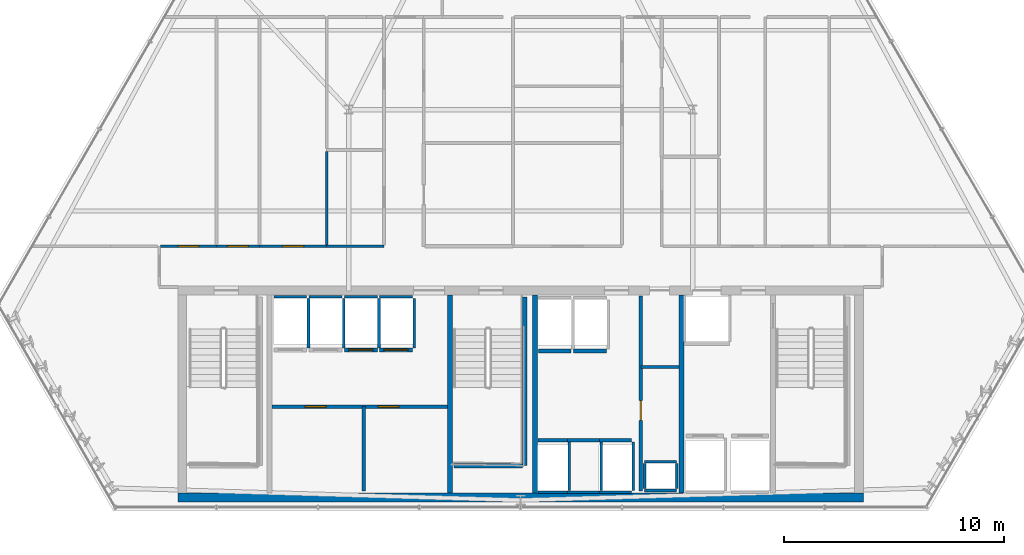
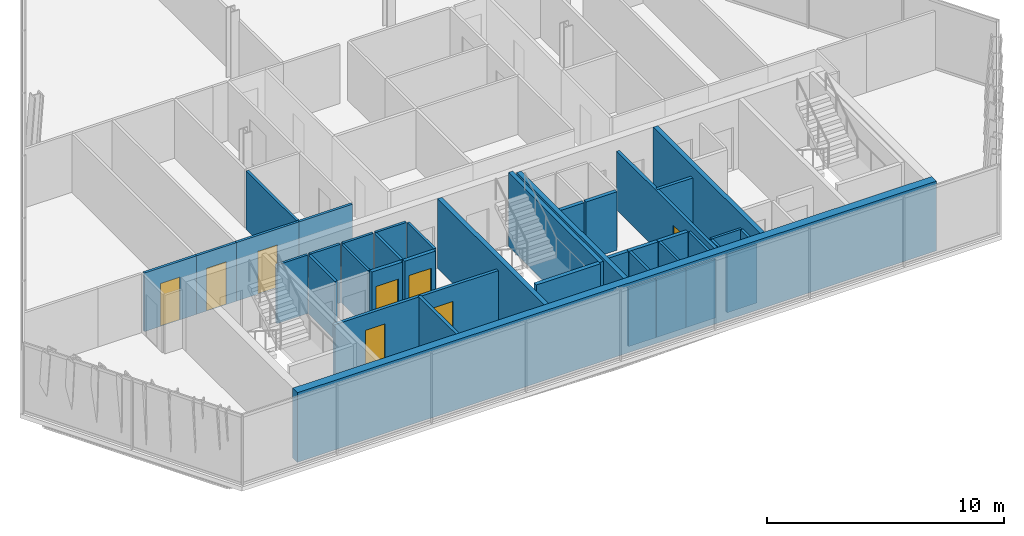
# One storey, part 27 of 33: 40 walls, 8 doors, 8 openings.
"""IFC4 building model written with IfcOpenShell, lengths in metres."""

from ifc_helpers import new_model, si_unit, direction, frame, frame_2d, origin, place, context, subcontext, project, spatial, rectangle, extrude, material, layer, layer_set, type_object, element, fill, save


model = new_model("IFC4")

# Units and contexts
model_context = context("Model", 3, precision=1e-05, world=origin(), true_north=direction((0.0, 1.0)))
body_context = subcontext(model_context, "Body", "Model", "MODEL_VIEW")
ifc_project = project(units=[si_unit("LENGTHUNIT", "METRE"), si_unit("AREAUNIT", "SQUARE_METRE"), si_unit("VOLUMEUNIT", "CUBIC_METRE"), si_unit("PLANEANGLEUNIT", "RADIAN"), si_unit("MASSUNIT", "GRAM", prefix="KILO")], contexts=[model_context])

# Site, building, storey
site_placement = place(None, origin())
site = spatial("IfcSite", under=ifc_project, at=site_placement, CompositionType="ELEMENT")
building_placement = place(site_placement, origin())
building = spatial("IfcBuilding", under=site, at=building_placement, Name="Ndaravel Arena Tower", CompositionType="ELEMENT")
storey_placement = place(building_placement, frame((0.0, 0.0, 168.800048828125)))
storey = spatial("IfcBuildingStorey", under=building, at=storey_placement, Name="L40", CompositionType="ELEMENT", Elevation=168.800048828125)

# Wall, opening, door
ifc_material_1 = material(Name="Gypsum", Category="gypsum")
ifc_layer_1 = layer(ifc_material_1, 0.14990234375)
ifc_layer_set_1 = layer_set([ifc_layer_1], Name="Gypsum")
wall_type_1 = type_object("IfcWallType", Name="WALL-COMP-150", PredefinedType="PARTITIONING", material=ifc_layer_set_1)
wall_1_placement = place(storey_placement, frame((47.449951171875, 5.89990234375, 0.0), z_axis=(0.0, 0.0, 1.0), x_axis=(0.0, 1.0, 0.0)))
wall_1 = element("IfcWall", 1, at=wall_1_placement, inside=storey, type_object=wall_type_1, Name="L40 Core Riser Bay Partition", PredefinedType="PARTITIONING", context=body_context, shape_type="SweptSolid", body=[
    extrude(rectangle(XDim=8.85009765625, YDim=0.14990234375, at=frame_2d((4.425048828125, 0.0))), origin(), (0.0, 0.0, 1.0), 3.010498046875),
])
opening_1_placement = place(wall_1_placement, frame((3.199951171875, 0.0, 0.0)))
opening_1 = element("IfcOpeningElement", 2, at=opening_1_placement, cuts=wall_1, Name="Opening RD-01", PredefinedType="OPENING", context=body_context, shape_type="SweptSolid", body=[
    extrude(rectangle(XDim=0.89990234375, YDim=2.10009765625, at=frame_2d((0.449951171875, 1.050048828125))), frame((0.0, 0.074951171875, 0.0), z_axis=(0.0, -1.0, 0.0), x_axis=(1.0, 0.0, 0.0)), (0.0, 0.0, 1.0), 0.14990234375),
])
ifc_material_2 = material(Name="Steel S355", Category="steel")
door_type_1 = type_object("IfcDoorType", Name="DT-08-RISER-900", OperationType="SINGLE_SWING_LEFT", PredefinedType="DOOR", material=ifc_material_2)
door_1_placement = place(opening_1_placement, origin())
door_1 = element("IfcDoor", 3, at=door_1_placement, inside=storey, type_object=door_type_1, Name="L40 Sub-Metering Closet Door", OperationType="SINGLE_SWING_LEFT", OverallHeight=2.10009765625, OverallWidth=0.89990234375, PredefinedType="DOOR", context=body_context, shape_type="SweptSolid", body=[
    extrude(rectangle(XDim=0.89990234375, YDim=2.10009765625, at=frame_2d((0.449951171875, 1.050048828125))), frame((0.0, 0.02490234375, 0.0), z_axis=(0.0, -1.0, 0.0), x_axis=(1.0, 0.0, 0.0)), (0.0, 0.0, 1.0), 0.050048828125),
])
fill(opening_1, door_1)

# Wall
wall_2_placement = place(storey_placement, frame((47.449951171875, 11.52001953125, 0.0), z_axis=(0.0, 0.0, 1.0), x_axis=(1.0, 0.0, 0.0)))
element("IfcWall", 4, at=wall_2_placement, inside=storey, type_object=wall_type_1, Name="L40 Core Riser Divider 1", PredefinedType="PARTITIONING", context=body_context, shape_type="SweptSolid", body=[
    extrude(rectangle(XDim=1.72998046875, YDim=0.14990234375, at=frame_2d((0.864990234375, 0.0))), origin(), (0.0, 0.0, 1.0), 3.010498046875),
])

# Wall, openings, doors
wall_3_placement = place(storey_placement, frame((30.719970703125, 9.719970703125, 0.0), z_axis=(0.0, 0.0, 1.0), x_axis=(1.0, 0.0, 0.0)))
wall_3 = element("IfcWall", 5, at=wall_3_placement, inside=storey, type_object=wall_type_1, Name="L40 Reclaimed Shaft Partition", PredefinedType="PARTITIONING", context=body_context, shape_type="SweptSolid", body=[
    extrude(rectangle(XDim=7.9599609375, YDim=0.14990234375, at=frame_2d((3.97998046875, 0.0))), origin(), (0.0, 0.0, 1.0), 3.010498046875),
])
opening_2_placement = place(wall_3_placement, frame((1.5, 0.0, 0.0)))
opening_2 = element("IfcOpeningElement", 6, at=opening_2_placement, cuts=wall_3, Name="Opening FD-03", PredefinedType="OPENING", context=body_context, shape_type="SweptSolid", body=[
    extrude(rectangle(XDim=0.949951171875, YDim=2.199951171875, at=frame_2d((0.47509765625, 1.10009765625))), frame((0.0, 0.074951171875, 0.0), z_axis=(0.0, -1.0, 0.0), x_axis=(1.0, 0.0, 0.0)), (0.0, 0.0, 1.0), 0.14990234375),
])
opening_3_placement = place(wall_3_placement, frame((4.81005859375, 0.0, 0.0)))
opening_3 = element("IfcOpeningElement", 7, at=opening_3_placement, cuts=wall_3, Name="Opening FD-03", PredefinedType="OPENING", context=body_context, shape_type="SweptSolid", body=[
    extrude(rectangle(XDim=0.949951171875, YDim=2.199951171875, at=frame_2d((0.47509765625, 1.10009765625))), frame((0.0, 0.074951171875, 0.0), z_axis=(0.0, -1.0, 0.0), x_axis=(1.0, 0.0, 0.0)), (0.0, 0.0, 1.0), 0.14990234375),
])
ifc_material_3 = material(Name="Steel S355", Category="steel")
door_type_2 = type_object("IfcDoorType", Name="DT-11-CORE-950", OperationType="SINGLE_SWING_LEFT", PredefinedType="DOOR", material=ifc_material_3)
door_2_placement = place(opening_2_placement, origin())
door_2 = element("IfcDoor", 8, at=door_2_placement, inside=storey, type_object=door_type_2, Name="L40 ICT Server Room Door", OperationType="SINGLE_SWING_LEFT", OverallHeight=2.199951171875, OverallWidth=0.949951171875, PredefinedType="DOOR", context=body_context, shape_type="SweptSolid", body=[
    extrude(rectangle(XDim=0.949951171875, YDim=2.199951171875, at=frame_2d((0.47509765625, 1.10009765625))), frame((0.0, 0.02490234375, 0.0), z_axis=(0.0, -1.0, 0.0), x_axis=(1.0, 0.0, 0.0)), (0.0, 0.0, 1.0), 0.050048828125),
])
fill(opening_2, door_2)
door_3_placement = place(opening_3_placement, origin())
door_3 = element("IfcDoor", 9, at=door_3_placement, inside=storey, type_object=door_type_2, Name="L40 Core Archive Room Door", OperationType="SINGLE_SWING_RIGHT", OverallHeight=2.199951171875, OverallWidth=0.949951171875, PredefinedType="DOOR", context=body_context, shape_type="SweptSolid", body=[
    extrude(rectangle(XDim=0.949951171875, YDim=2.199951171875, at=frame_2d((0.47509765625, 1.10009765625))), frame((0.0, 0.02490234375, 0.0), z_axis=(0.0, -1.0, 0.0), x_axis=(1.0, 0.0, 0.0)), (0.0, 0.0, 1.0), 0.050048828125),
])
fill(opening_3, door_3)

# Walls
wall_4_placement = place(storey_placement, frame((34.8798828125, 5.89990234375, 0.0), z_axis=(0.0, 0.0, 1.0), x_axis=(0.0, 1.0, 0.0)))
element("IfcWall", 10, at=wall_4_placement, inside=storey, type_object=wall_type_1, Name="L40 Reclaimed Bay Divider", PredefinedType="PARTITIONING", context=body_context, shape_type="SweptSolid", body=[
    extrude(rectangle(XDim=3.820068359375, YDim=0.14990234375, at=frame_2d((1.91015625, 0.0))), origin(), (0.0, 0.0, 1.0), 3.010498046875),
])
ifc_material_4 = material(Name="Concrete C50/60", Category="concrete")
ifc_layer_2 = layer(ifc_material_4, 0.219970703125)
ifc_layer_set_2 = layer_set([ifc_layer_2], Name="Concrete C50/60")
wall_type_2 = type_object("IfcWallType", Name="WALL-CORE-220", PredefinedType="SOLIDWALL", material=ifc_layer_set_2)
for number, where, z_axis, x_axis, name in (
    (11, (38.800048828125, 5.800048828125, 0.0), (0.0, 0.0, 1.0), (0.0, 1.0, 0.0), "L40 Core Web Shear Wall 2"),
    (12, (42.64990234375, 5.800048828125, 0.0), (0.0, 0.0, 1.0), (0.0, 1.0, 0.0), "L40 Core Web Shear Wall 3"),
    (13, (49.300048828125, 5.800048828125, 0.0), (0.0, 0.0, 1.0), (0.0, 1.0, 0.0), "L40 Core Web Shear Wall 4"),
):
    element("IfcWall", number, at=place(storey_placement, frame(where, z_axis=z_axis, x_axis=x_axis)), inside=storey, type_object=wall_type_2, Name=name, PredefinedType="SOLIDWALL", context=body_context, shape_type="SweptSolid", body=[
        extrude(rectangle(XDim=9.0, YDim=0.219970703125, at=frame_2d((4.5, 0.0))), origin(), (0.0, 0.0, 1.0), 3.579833984375),
    ])
ifc_material_5 = material(Name="Concrete C50/60", Category="concrete")
ifc_layer_3 = layer(ifc_material_5, 0.39990234375)
ifc_layer_set_3 = layer_set([ifc_layer_3], Name="Concrete C50/60")
wall_type_3 = type_object("IfcWallType", Name="WALL-CORE-400", PredefinedType="SOLIDWALL", material=ifc_layer_set_3)
wall_5_placement = place(storey_placement, frame((26.449951171875, 5.60009765625, 0.0), z_axis=(0.0, 0.0, 1.0), x_axis=(1.0, 0.0, 0.0)))
element("IfcWall", 14, at=wall_5_placement, inside=storey, type_object=wall_type_3, Name="L40 Core South Shear Wall", PredefinedType="SOLIDWALL", context=body_context, shape_type="SweptSolid", body=[
    extrude(rectangle(XDim=31.10009765625, YDim=0.39990234375, at=frame_2d((15.550048828125, 0.0))), origin(), (0.0, 0.0, 1.0), 3.579833984375),
])

# Wall, opening, door
ifc_material_6 = material(Name="Gypsum", Category="gypsum")
ifc_layer_4 = layer(ifc_material_6, 0.125)
ifc_layer_set_4 = layer_set([ifc_layer_4], Name="Gypsum")
wall_type_4 = type_object("IfcWallType", Name="WALL-PART-125", PredefinedType="PARTITIONING", material=ifc_layer_set_4)
wall_6_placement = place(storey_placement, frame((25.6650390625, 17.0, 0.0), z_axis=(0.0, 0.0, 1.0), x_axis=(1.0, 0.0, 0.0)))
wall_6 = element("IfcWall", 15, at=wall_6_placement, inside=storey, type_object=wall_type_4, Name="L40 Interior Partition 005", PredefinedType="PARTITIONING", context=body_context, shape_type="SweptSolid", body=[
    extrude(rectangle(XDim=2.534912109375, YDim=0.125, at=frame_2d((1.267578125, 0.0))), origin(), (0.0, 0.0, 1.0), 3.010498046875),
])
opening_4_placement = place(wall_6_placement, frame((0.79248046875, 0.0, 0.0)))
opening_4 = element("IfcOpeningElement", 16, at=opening_4_placement, cuts=wall_6, Name="Opening ID-01", PredefinedType="OPENING", context=body_context, shape_type="SweptSolid", body=[
    extrude(rectangle(XDim=0.949951171875, YDim=2.199951171875, at=frame_2d((0.47509765625, 1.10009765625))), frame((0.0, 0.0625, 0.0), z_axis=(0.0, -1.0, 0.0), x_axis=(1.0, 0.0, 0.0)), (0.0, 0.0, 1.0), 0.125),
])
ifc_material_7 = material(Name="Timber", Category="wood")
door_type_3 = type_object("IfcDoorType", Name="DT-03-OFFICE-950", OperationType="SINGLE_SWING_LEFT", PredefinedType="DOOR", material=ifc_material_7)
door_4_placement = place(opening_4_placement, origin())
door_4 = element("IfcDoor", 17, at=door_4_placement, inside=storey, type_object=door_type_3, Name="L40 Occupational Consult Room 2 Door", OperationType="SINGLE_SWING_RIGHT", OverallHeight=2.199951171875, OverallWidth=0.949951171875, PredefinedType="DOOR", context=body_context, shape_type="SweptSolid", body=[
    extrude(rectangle(XDim=0.949951171875, YDim=2.199951171875, at=frame_2d((0.47509765625, 1.10009765625))), frame((0.0, 0.02490234375, 0.0), z_axis=(0.0, -1.0, 0.0), x_axis=(1.0, 0.0, 0.0)), (0.0, 0.0, 1.0), 0.050048828125),
])
fill(opening_4, door_4)

wall_7_placement = place(storey_placement, frame((28.199951171875, 17.0, 0.0), z_axis=(0.0, 0.0, 1.0), x_axis=(1.0, 0.0, 0.0)))
wall_7 = element("IfcWall", 18, at=wall_7_placement, inside=storey, type_object=wall_type_4, Name="L40 Interior Partition 006", PredefinedType="PARTITIONING", context=body_context, shape_type="SweptSolid", body=[
    extrude(rectangle(XDim=1.949951171875, YDim=0.125, at=frame_2d((0.97509765625, 0.0))), origin(), (0.0, 0.0, 1.0), 3.010498046875),
])
opening_5_placement = place(wall_7_placement, frame((0.5, 0.0, 0.0)))
opening_5 = element("IfcOpeningElement", 19, at=opening_5_placement, cuts=wall_7, Name="Opening ID-01", PredefinedType="OPENING", context=body_context, shape_type="SweptSolid", body=[
    extrude(rectangle(XDim=0.949951171875, YDim=2.199951171875, at=frame_2d((0.47509765625, 1.10009765625))), frame((0.0, 0.0625, 0.0), z_axis=(0.0, -1.0, 0.0), x_axis=(1.0, 0.0, 0.0)), (0.0, 0.0, 1.0), 0.125),
])
door_5_placement = place(opening_5_placement, origin())
door_5 = element("IfcDoor", 20, at=door_5_placement, inside=storey, type_object=door_type_3, Name="L40 Medical First Aid Clinic 3 Door", OperationType="SINGLE_SWING_LEFT", OverallHeight=2.199951171875, OverallWidth=0.949951171875, PredefinedType="DOOR", context=body_context, shape_type="SweptSolid", body=[
    extrude(rectangle(XDim=0.949951171875, YDim=2.199951171875, at=frame_2d((0.47509765625, 1.10009765625))), frame((0.0, 0.02490234375, 0.0), z_axis=(0.0, -1.0, 0.0), x_axis=(1.0, 0.0, 0.0)), (0.0, 0.0, 1.0), 0.050048828125),
])
fill(opening_5, door_5)

wall_8_placement = place(storey_placement, frame((30.14990234375, 17.0, 0.0), z_axis=(0.0, 0.0, 1.0), x_axis=(1.0, 0.0, 0.0)))
wall_8 = element("IfcWall", 21, at=wall_8_placement, inside=storey, type_object=wall_type_4, Name="L40 Interior Partition 007", PredefinedType="PARTITIONING", context=body_context, shape_type="SweptSolid", body=[
    extrude(rectangle(XDim=3.050048828125, YDim=0.125, at=frame_2d((1.52490234375, 0.0))), origin(), (0.0, 0.0, 1.0), 3.010498046875),
])
opening_6_placement = place(wall_8_placement, frame((1.050048828125, 0.0, 0.0)))
opening_6 = element("IfcOpeningElement", 22, at=opening_6_placement, cuts=wall_8, Name="Opening ID-01", PredefinedType="OPENING", context=body_context, shape_type="SweptSolid", body=[
    extrude(rectangle(XDim=0.949951171875, YDim=2.199951171875, at=frame_2d((0.47509765625, 1.10009765625))), frame((0.0, 0.0625, 0.0), z_axis=(0.0, -1.0, 0.0), x_axis=(1.0, 0.0, 0.0)), (0.0, 0.0, 1.0), 0.125),
])
door_6_placement = place(opening_6_placement, origin())
door_6 = element("IfcDoor", 23, at=door_6_placement, inside=storey, type_object=door_type_3, Name="L40 Training Classroom 4 Door", OperationType="SINGLE_SWING_RIGHT", OverallHeight=2.199951171875, OverallWidth=0.949951171875, PredefinedType="DOOR", context=body_context, shape_type="SweptSolid", body=[
    extrude(rectangle(XDim=0.949951171875, YDim=2.199951171875, at=frame_2d((0.47509765625, 1.10009765625))), frame((0.0, 0.02490234375, 0.0), z_axis=(0.0, -1.0, 0.0), x_axis=(1.0, 0.0, 0.0)), (0.0, 0.0, 1.0), 0.050048828125),
])
fill(opening_6, door_6)

# Walls
wall_9_placement = place(storey_placement, frame((33.199951171875, 17.0, 0.0), z_axis=(0.0, 0.0, 1.0), x_axis=(1.0, 0.0, 0.0)))
element("IfcWall", 24, at=wall_9_placement, inside=storey, type_object=wall_type_4, Name="L40 Interior Partition 008", PredefinedType="PARTITIONING", context=body_context, shape_type="SweptSolid", body=[
    extrude(rectangle(XDim=2.60009765625, YDim=0.125, at=frame_2d((1.300048828125, 0.0))), origin(), (0.0, 0.0, 1.0), 3.010498046875),
])
wall_10_placement = place(storey_placement, frame((33.199951171875, 17.06494140625, 0.0), z_axis=(0.0, 0.0, 1.0), x_axis=(0.0, 1.0, 0.0)))
element("IfcWall", 25, at=wall_10_placement, inside=storey, type_object=wall_type_4, Name="L40 Interior Partition 033", PredefinedType="PARTITIONING", context=body_context, shape_type="SweptSolid", body=[
    extrude(rectangle(XDim=4.238037109375, YDim=0.125, at=frame_2d((2.119140625, 0.0))), origin(), (0.0, 0.0, 1.0), 3.010498046875),
])
ifc_material_8 = material(Name="Concrete C40/50", Category="concrete")
ifc_layer_5 = layer(ifc_material_8, 0.1201171875)
ifc_layer_set_5 = layer_set([ifc_layer_5], Name="Concrete C40/50")
wall_type_5 = type_object("IfcWallType", Name="WALL-SHAFT-120", PredefinedType="SOLIDWALL", material=ifc_layer_set_5)
for number, where, z_axis, x_axis, name in (
    (26, (47.6201171875, 5.919921875, 0.0), (0.0, 0.0, 1.0), (1.0, 0.0, 0.0), "L40 MEP Riser Shaft S Wall"),
    (27, (47.6201171875, 7.219970703125, 0.0), (0.0, 0.0, 1.0), (1.0, 0.0, 0.0), "L40 MEP Riser Shaft N Wall"),
):
    element("IfcWall", number, at=place(storey_placement, frame(where, z_axis=z_axis, x_axis=x_axis)), inside=storey, type_object=wall_type_5, Name=name, PredefinedType="SOLIDWALL", context=body_context, shape_type="SweptSolid", body=[
        extrude(rectangle(XDim=1.4599609375, YDim=0.1201171875, at=frame_2d((0.72998046875, 0.0))), origin(), (0.0, 0.0, 1.0), 3.010498046875),
    ])
for number, where, z_axis, x_axis, name in (
    (28, (47.6201171875, 6.0, 0.0), (0.0, 0.0, 1.0), (0.0, 1.0, 0.0), "L40 MEP Riser Shaft W Wall"),
    (29, (49.080078125, 6.0, 0.0), (0.0, 0.0, 1.0), (0.0, 1.0, 0.0), "L40 MEP Riser Shaft E Wall"),
):
    element("IfcWall", number, at=place(storey_placement, frame(where, z_axis=z_axis, x_axis=x_axis)), inside=storey, type_object=wall_type_5, Name=name, PredefinedType="SOLIDWALL", context=body_context, shape_type="SweptSolid", body=[
        extrude(rectangle(XDim=1.139892578125, YDim=0.1201171875, at=frame_2d((0.56982421875, 0.0))), origin(), (0.0, 0.0, 1.0), 3.010498046875),
    ])
wall_11_placement = place(storey_placement, frame((30.804931640625, 14.7099609375, 0.0), z_axis=(0.0, 0.0, 1.0), x_axis=(1.0, 0.0, 0.0)))
element("IfcWall", 30, at=wall_11_placement, inside=storey, type_object=wall_type_5, Name="L40 PL-M1 Shaft Rear Wall", PredefinedType="SOLIDWALL", context=body_context, shape_type="SweptSolid", body=[
    extrude(rectangle(XDim=1.489990234375, YDim=0.1201171875, at=frame_2d((0.7451171875, 0.0))), origin(), (0.0, 0.0, 1.0), 3.010498046875),
])
wall_12_placement = place(storey_placement, frame((32.375, 12.389892578125, 0.0), z_axis=(0.0, 0.0, 1.0), x_axis=(0.0, 1.0, 0.0)))
element("IfcWall", 31, at=wall_12_placement, inside=storey, type_object=wall_type_5, Name="L40 PL-M1 Shaft Side R Wall", PredefinedType="SOLIDWALL", context=body_context, shape_type="SweptSolid", body=[
    extrude(rectangle(XDim=2.230224609375, YDim=0.1201171875, at=frame_2d((1.115234375, 0.0))), origin(), (0.0, 0.0, 1.0), 3.010498046875),
])
wall_13_placement = place(storey_placement, frame((32.405029296875, 14.7099609375, 0.0), z_axis=(0.0, 0.0, 1.0), x_axis=(1.0, 0.0, 0.0)))
element("IfcWall", 32, at=wall_13_placement, inside=storey, type_object=wall_type_5, Name="L40 PL-M2 Shaft Rear Wall", PredefinedType="SOLIDWALL", context=body_context, shape_type="SweptSolid", body=[
    extrude(rectangle(XDim=1.489990234375, YDim=0.1201171875, at=frame_2d((0.7451171875, 0.0))), origin(), (0.0, 0.0, 1.0), 3.010498046875),
])
wall_14_placement = place(storey_placement, frame((33.97509765625, 12.389892578125, 0.0), z_axis=(0.0, 0.0, 1.0), x_axis=(0.0, 1.0, 0.0)))
element("IfcWall", 33, at=wall_14_placement, inside=storey, type_object=wall_type_5, Name="L40 PL-M2 Shaft Side R Wall", PredefinedType="SOLIDWALL", context=body_context, shape_type="SweptSolid", body=[
    extrude(rectangle(XDim=2.230224609375, YDim=0.1201171875, at=frame_2d((1.115234375, 0.0))), origin(), (0.0, 0.0, 1.0), 3.010498046875),
])
wall_15_placement = place(storey_placement, frame((34.0048828125, 14.7099609375, 0.0), z_axis=(0.0, 0.0, 1.0), x_axis=(1.0, 0.0, 0.0)))
element("IfcWall", 34, at=wall_15_placement, inside=storey, type_object=wall_type_5, Name="L40 PL-M3 Shaft Rear Wall", PredefinedType="SOLIDWALL", context=body_context, shape_type="SweptSolid", body=[
    extrude(rectangle(XDim=1.490234375, YDim=0.1201171875, at=frame_2d((0.7451171875, 0.0))), origin(), (0.0, 0.0, 1.0), 3.010498046875),
])
wall_16_placement = place(storey_placement, frame((35.574951171875, 12.389892578125, 0.0), z_axis=(0.0, 0.0, 1.0), x_axis=(0.0, 1.0, 0.0)))
element("IfcWall", 35, at=wall_16_placement, inside=storey, type_object=wall_type_5, Name="L40 PL-M3 Shaft Side R Wall", PredefinedType="SOLIDWALL", context=body_context, shape_type="SweptSolid", body=[
    extrude(rectangle(XDim=2.230224609375, YDim=0.1201171875, at=frame_2d((1.115234375, 0.0))), origin(), (0.0, 0.0, 1.0), 3.010498046875),
])
wall_17_placement = place(storey_placement, frame((35.60498046875, 14.7099609375, 0.0), z_axis=(0.0, 0.0, 1.0), x_axis=(1.0, 0.0, 0.0)))
element("IfcWall", 36, at=wall_17_placement, inside=storey, type_object=wall_type_5, Name="L40 PL-M4 Shaft Rear Wall", PredefinedType="SOLIDWALL", context=body_context, shape_type="SweptSolid", body=[
    extrude(rectangle(XDim=1.489990234375, YDim=0.1201171875, at=frame_2d((0.7451171875, 0.0))), origin(), (0.0, 0.0, 1.0), 3.010498046875),
])
wall_18_placement = place(storey_placement, frame((37.175048828125, 12.389892578125, 0.0), z_axis=(0.0, 0.0, 1.0), x_axis=(0.0, 1.0, 0.0)))
element("IfcWall", 37, at=wall_18_placement, inside=storey, type_object=wall_type_5, Name="L40 PL-M4 Shaft Side R Wall", PredefinedType="SOLIDWALL", context=body_context, shape_type="SweptSolid", body=[
    extrude(rectangle(XDim=2.230224609375, YDim=0.1201171875, at=frame_2d((1.115234375, 0.0))), origin(), (0.0, 0.0, 1.0), 3.010498046875),
])
wall_19_placement = place(storey_placement, frame((42.780029296875, 5.840087890625, 0.0), z_axis=(0.0, 0.0, 1.0), x_axis=(1.0, 0.0, 0.0)))
element("IfcWall", 38, at=wall_19_placement, inside=storey, type_object=wall_type_5, Name="L40 PL-H1 Shaft Rear Wall", PredefinedType="SOLIDWALL", context=body_context, shape_type="SweptSolid", body=[
    extrude(rectangle(XDim=1.340087890625, YDim=0.1201171875, at=frame_2d((0.669921875, 0.0))), origin(), (0.0, 0.0, 1.0), 3.010498046875),
])
wall_20_placement = place(storey_placement, frame((44.199951171875, 5.929931640625, 0.0), z_axis=(0.0, 0.0, 1.0), x_axis=(0.0, 1.0, 0.0)))
element("IfcWall", 39, at=wall_20_placement, inside=storey, type_object=wall_type_5, Name="L40 PL-H1 Shaft Side R Wall", PredefinedType="SOLIDWALL", context=body_context, shape_type="SweptSolid", body=[
    extrude(rectangle(XDim=2.18017578125, YDim=0.1201171875, at=frame_2d((1.090087890625, 0.0))), origin(), (0.0, 0.0, 1.0), 3.010498046875),
])
wall_21_placement = place(storey_placement, frame((44.1298828125, 5.840087890625, 0.0), z_axis=(0.0, 0.0, 1.0), x_axis=(1.0, 0.0, 0.0)))
element("IfcWall", 40, at=wall_21_placement, inside=storey, type_object=wall_type_5, Name="L40 PL-H2 Shaft Rear Wall", PredefinedType="SOLIDWALL", context=body_context, shape_type="SweptSolid", body=[
    extrude(rectangle(XDim=1.440185546875, YDim=0.1201171875, at=frame_2d((0.72021484375, 0.0))), origin(), (0.0, 0.0, 1.0), 3.010498046875),
])
wall_22_placement = place(storey_placement, frame((45.64990234375, 5.929931640625, 0.0), z_axis=(0.0, 0.0, 1.0), x_axis=(0.0, 1.0, 0.0)))
element("IfcWall", 41, at=wall_22_placement, inside=storey, type_object=wall_type_5, Name="L40 PL-H2 Shaft Side R Wall", PredefinedType="SOLIDWALL", context=body_context, shape_type="SweptSolid", body=[
    extrude(rectangle(XDim=2.18017578125, YDim=0.1201171875, at=frame_2d((1.090087890625, 0.0))), origin(), (0.0, 0.0, 1.0), 3.010498046875),
])
wall_23_placement = place(storey_placement, frame((45.580078125, 5.840087890625, 0.0), z_axis=(0.0, 0.0, 1.0), x_axis=(1.0, 0.0, 0.0)))
element("IfcWall", 42, at=wall_23_placement, inside=storey, type_object=wall_type_5, Name="L40 PL-H3 Shaft Rear Wall", PredefinedType="SOLIDWALL", context=body_context, shape_type="SweptSolid", body=[
    extrude(rectangle(XDim=1.43994140625, YDim=0.1201171875, at=frame_2d((0.719970703125, 0.0))), origin(), (0.0, 0.0, 1.0), 3.010498046875),
])
wall_24_placement = place(storey_placement, frame((47.10009765625, 5.929931640625, 0.0), z_axis=(0.0, 0.0, 1.0), x_axis=(0.0, 1.0, 0.0)))
element("IfcWall", 43, at=wall_24_placement, inside=storey, type_object=wall_type_5, Name="L40 PL-H3 Shaft Side R Wall", PredefinedType="SOLIDWALL", context=body_context, shape_type="SweptSolid", body=[
    extrude(rectangle(XDim=2.18017578125, YDim=0.1201171875, at=frame_2d((1.090087890625, 0.0))), origin(), (0.0, 0.0, 1.0), 3.010498046875),
])
ifc_material_9 = material(Name="Concrete C40/50", Category="concrete")
ifc_layer_6 = layer(ifc_material_9, 0.199951171875)
ifc_layer_set_6 = layer_set([ifc_layer_6], Name="Concrete C40/50")
wall_type_6 = type_object("IfcWallType", Name="WALL-SHAFT-200", PredefinedType="SOLIDWALL", material=ifc_layer_set_6)
wall_25_placement = place(storey_placement, frame((42.18994140625, 14.699951171875, 0.0), z_axis=(0.0, 0.0, 1.0), x_axis=(0.0, -1.0, 0.0)))
element("IfcWall", 44, at=wall_25_placement, inside=storey, type_object=wall_type_6, Name="L40 ST-2 Structural Shaft Wall Right", PredefinedType="SOLIDWALL", context=body_context, shape_type="SweptSolid", body=[
    extrude(rectangle(XDim=7.64990234375, YDim=0.199951171875, at=frame_2d((3.824951171875, 0.0))), origin(), (0.0, 0.0, 1.0), 3.800048828125),
])
wall_26_placement = place(storey_placement, frame((38.969970703125, 7.050048828125, 0.0), z_axis=(0.0, 0.0, 1.0), x_axis=(1.0, 0.0, 0.0)))
element("IfcWall", 45, at=wall_26_placement, inside=storey, type_object=wall_type_6, Name="L40 ST-2 Structural Shaft Wall Far", PredefinedType="SOLIDWALL", context=body_context, shape_type="SweptSolid", body=[
    extrude(rectangle(XDim=3.114990234375, YDim=0.199951171875, at=frame_2d((1.5576171875, 0.0))), origin(), (0.0, 0.0, 1.0), 3.800048828125),
])

# Wall, opening, door
wall_27_placement = place(storey_placement, frame((34.0048828125, 12.300048828125, 0.0), z_axis=(0.0, 0.0, 1.0), x_axis=(1.0, 0.0, 0.0)))
wall_27 = element("IfcWall", 46, at=wall_27_placement, inside=storey, type_object=wall_type_6, Name="L40 PL-M3 Shaft Landing Wall", PredefinedType="SOLIDWALL", context=body_context, shape_type="SweptSolid", body=[
    extrude(rectangle(XDim=1.490234375, YDim=0.179931640625, at=frame_2d((0.7451171875, 0.0))), origin(), (0.0, 0.0, 1.0), 3.010498046875),
])
opening_7_placement = place(wall_27_placement, frame((0.195068359375, 0.0, 0.0)))
opening_7 = element("IfcOpeningElement", 47, at=opening_7_placement, cuts=wall_27, Name="Opening LD-01", PredefinedType="OPENING", context=body_context, shape_type="SweptSolid", body=[
    extrude(rectangle(XDim=1.10009765625, YDim=2.199951171875, at=frame_2d((0.550048828125, 1.10009765625))), frame((0.0, 0.08984375, 0.0), z_axis=(0.0, -1.0, 0.0), x_axis=(1.0, 0.0, 0.0)), (0.0, 0.0, 1.0), 0.179931640625),
])
ifc_material_10 = material(Name="Steel S355", Category="steel")
door_type_4 = type_object("IfcDoorType", Name="DT-06-LIFT-1100", OperationType="SLIDING_TO_LEFT", PredefinedType="DOOR", material=ifc_material_10)
door_7_placement = place(opening_7_placement, origin())
door_7 = element("IfcDoor", 48, at=door_7_placement, inside=storey, type_object=door_type_4, Name="L40 Lift PL-M3 Sliding Landing Door", OperationType="SLIDING_TO_LEFT", OverallHeight=2.199951171875, OverallWidth=1.10009765625, PredefinedType="DOOR", context=body_context, shape_type="SweptSolid", body=[
    extrude(rectangle(XDim=1.10009765625, YDim=2.199951171875, at=frame_2d((0.550048828125, 1.10009765625))), frame((0.0, 0.02490234375, 0.0), z_axis=(0.0, -1.0, 0.0), x_axis=(1.0, 0.0, 0.0)), (0.0, 0.0, 1.0), 0.050048828125),
])
fill(opening_7, door_7)

wall_28_placement = place(storey_placement, frame((35.60498046875, 12.300048828125, 0.0), z_axis=(0.0, 0.0, 1.0), x_axis=(1.0, 0.0, 0.0)))
wall_28 = element("IfcWall", 49, at=wall_28_placement, inside=storey, type_object=wall_type_6, Name="L40 PL-M4 Shaft Landing Wall", PredefinedType="SOLIDWALL", context=body_context, shape_type="SweptSolid", body=[
    extrude(rectangle(XDim=1.489990234375, YDim=0.179931640625, at=frame_2d((0.7451171875, 0.0))), origin(), (0.0, 0.0, 1.0), 3.010498046875),
])
opening_8_placement = place(wall_28_placement, frame((0.195068359375, 0.0, 0.0)))
opening_8 = element("IfcOpeningElement", 50, at=opening_8_placement, cuts=wall_28, Name="Opening LD-01", PredefinedType="OPENING", context=body_context, shape_type="SweptSolid", body=[
    extrude(rectangle(XDim=1.10009765625, YDim=2.199951171875, at=frame_2d((0.550048828125, 1.10009765625))), frame((0.0, 0.08984375, 0.0), z_axis=(0.0, -1.0, 0.0), x_axis=(1.0, 0.0, 0.0)), (0.0, 0.0, 1.0), 0.179931640625),
])
door_8_placement = place(opening_8_placement, origin())
door_8 = element("IfcDoor", 51, at=door_8_placement, inside=storey, type_object=door_type_4, Name="L40 Lift PL-M4 Sliding Landing Door", OperationType="SLIDING_TO_LEFT", OverallHeight=2.199951171875, OverallWidth=1.10009765625, PredefinedType="DOOR", context=body_context, shape_type="SweptSolid", body=[
    extrude(rectangle(XDim=1.10009765625, YDim=2.199951171875, at=frame_2d((0.550048828125, 1.10009765625))), frame((0.0, 0.02490234375, 0.0), z_axis=(0.0, -1.0, 0.0), x_axis=(1.0, 0.0, 0.0)), (0.0, 0.0, 1.0), 0.050048828125),
])
fill(opening_8, door_8)

# Walls
wall_29_placement = place(storey_placement, frame((42.780029296875, 8.199951171875, 0.0), z_axis=(0.0, 0.0, 1.0), x_axis=(1.0, 0.0, 0.0)))
element("IfcWall", 52, at=wall_29_placement, inside=storey, type_object=wall_type_6, Name="L40 PL-H1 Shaft Landing Wall", PredefinedType="SOLIDWALL", context=body_context, shape_type="SweptSolid", body=[
    extrude(rectangle(XDim=1.340087890625, YDim=0.179931640625, at=frame_2d((0.669921875, 0.0))), origin(), (0.0, 0.0, 1.0), 3.010498046875),
])
wall_30_placement = place(storey_placement, frame((44.1298828125, 8.199951171875, 0.0), z_axis=(0.0, 0.0, 1.0), x_axis=(1.0, 0.0, 0.0)))
element("IfcWall", 53, at=wall_30_placement, inside=storey, type_object=wall_type_6, Name="L40 PL-H2 Shaft Landing Wall", PredefinedType="SOLIDWALL", context=body_context, shape_type="SweptSolid", body=[
    extrude(rectangle(XDim=1.440185546875, YDim=0.179931640625, at=frame_2d((0.72021484375, 0.0))), origin(), (0.0, 0.0, 1.0), 3.010498046875),
])
wall_31_placement = place(storey_placement, frame((45.580078125, 8.199951171875, 0.0), z_axis=(0.0, 0.0, 1.0), x_axis=(1.0, 0.0, 0.0)))
element("IfcWall", 54, at=wall_31_placement, inside=storey, type_object=wall_type_6, Name="L40 PL-H3 Shaft Landing Wall", PredefinedType="SOLIDWALL", context=body_context, shape_type="SweptSolid", body=[
    extrude(rectangle(XDim=1.43994140625, YDim=0.179931640625, at=frame_2d((0.719970703125, 0.0))), origin(), (0.0, 0.0, 1.0), 3.010498046875),
])
for number, where, z_axis, x_axis, name in (
    (55, (42.804931640625, 12.25, 0.0), (0.0, 0.0, 1.0), (1.0, 0.0, 0.0), "L40 PL-OBS1 Shaft Landing Wall"),
    (56, (44.405029296875, 12.25, 0.0), (0.0, 0.0, 1.0), (1.0, 0.0, 0.0), "L40 PL-OBS2 Shaft Landing Wall"),
):
    element("IfcWall", number, at=place(storey_placement, frame(where, z_axis=z_axis, x_axis=x_axis)), inside=storey, type_object=wall_type_6, Name=name, PredefinedType="SOLIDWALL", context=body_context, shape_type="SweptSolid", body=[
        extrude(rectangle(XDim=1.489990234375, YDim=0.179931640625, at=frame_2d((0.7451171875, 0.0))), origin(), (0.0, 0.0, 1.0), 3.010498046875),
    ])

save(model, "model.ifc")
